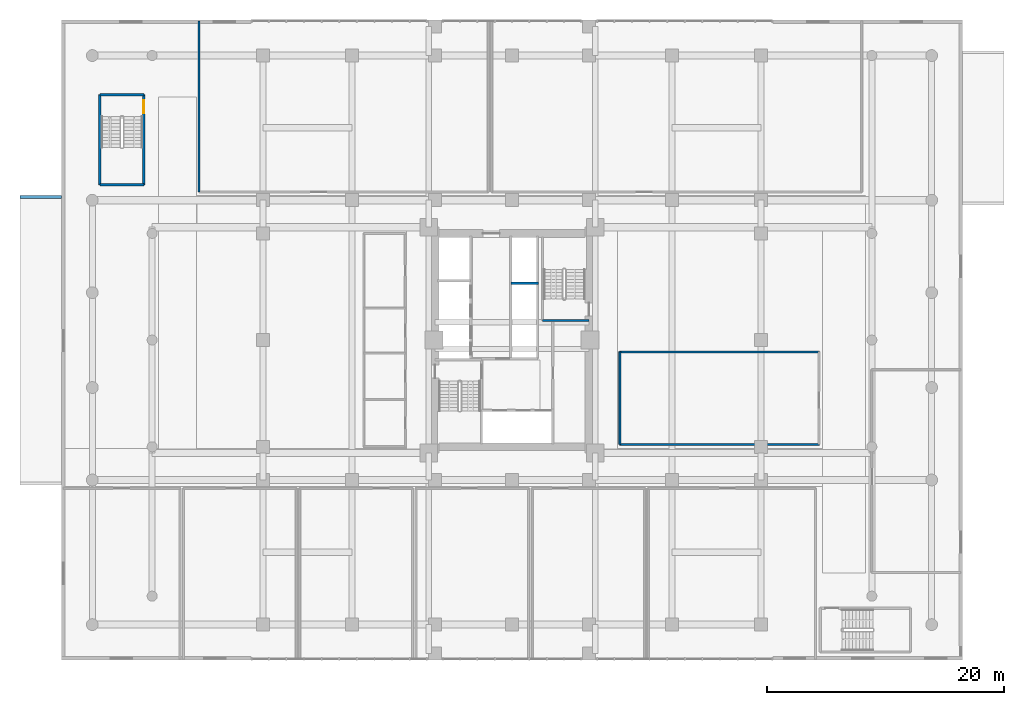
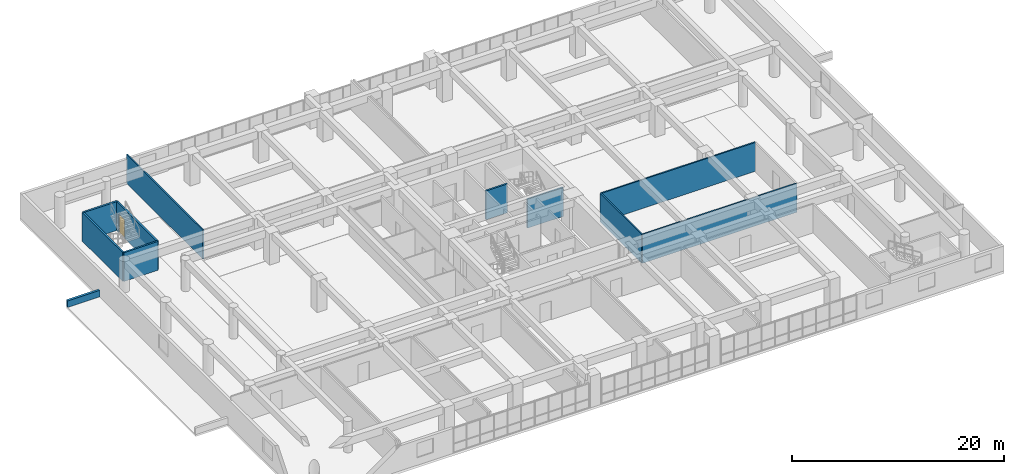
# One storey, part 16 of 27: 11 walls, 1 door, 1 opening.
"""IFC4 building model written with IfcOpenShell, lengths in metres."""

import ifcopenshell
import ifcopenshell.guid

model = None  # the IFC model being written
_history = None  # IfcOwnerHistory: only IFC2X3 demands one
_inside = {}  # id of a spatial element -> (the spatial element, [elements in it])
_under = {}  # id of a project, library or spatial element -> (it, [spatial elements below it])
_declared = {}  # id of a project -> (the project, [libraries it declares])
_typed = {}  # id of a type object -> (the type object, [elements of that type])
_made_of = {}  # id of a material, layer set ... -> (it, [elements and type objects made of it])


def new_model(schema):
    """Start an empty IFC model of exactly this schema.

    Asked for "IFC4X3", IfcOpenShell would pick the latest addendum, in which some entities
    have other attributes; the version numbers below select the first issue.
    IFC2X3 requires an IfcOwnerHistory on every rooted entity: one is made here for all.
    """
    global model, _history
    if schema == "IFC4X3":
        model = ifcopenshell.file(schema_version=(4, 3, 0, 0))
    else:
        model = ifcopenshell.file(schema=schema)
    _inside.clear()
    _under.clear()
    _declared.clear()
    _typed.clear()
    _made_of.clear()
    _history = None
    if model.schema == "IFC2X3":
        org = make("IfcOrganization", Name="unknown")
        user = make(
            "IfcPersonAndOrganization",
            ThePerson=make("IfcPerson", FamilyName="unknown"),
            TheOrganization=org,
        )
        app = make(
            "IfcApplication",
            ApplicationDeveloper=org,
            Version="unknown",
            ApplicationFullName="unknown",
            ApplicationIdentifier="unknown",
        )
        _history = make(
            "IfcOwnerHistory",
            OwningUser=user,
            OwningApplication=app,
            ChangeAction="ADDED",
            CreationDate=0,
        )
    return model


def make(cls, **values):
    """One entity of the class cls with the attributes given. An attribute that is None is left unset."""
    return model.create_entity(
        cls, **{name: value for name, value in values.items() if value is not None}
    )


def rooted(cls, **values):
    """An entity with a GlobalId (a new one), such as an element, a storey or a relation."""
    return make(cls, GlobalId=ifcopenshell.guid.new(), OwnerHistory=_history, **values)


def si_unit(unit_type, name, prefix=None):
    """IfcSIUnit, for example si_unit("LENGTHUNIT", "METRE", prefix="MILLI")."""
    return make("IfcSIUnit", UnitType=unit_type, Prefix=prefix, Name=name)


def assignment(units):
    """IfcUnitAssignment: the units of a project."""
    return None if units is None else make("IfcUnitAssignment", Units=units)


def point(xyz):
    """IfcCartesianPoint."""
    return None if xyz is None else make("IfcCartesianPoint", Coordinates=xyz)


def direction(xyz):
    """IfcDirection."""
    return None if xyz is None else make("IfcDirection", DirectionRatios=xyz)


def frame(location, z_axis=None, x_axis=None):
    """IfcAxis2Placement3D, a coordinate frame: its origin and axes. An axis left out is left unset."""
    return make(
        "IfcAxis2Placement3D",
        Location=point(location),
        Axis=direction(z_axis),
        RefDirection=direction(x_axis),
    )


def frame_2d(location, x_axis=None):
    """IfcAxis2Placement2D, a coordinate frame in the plane: its origin and x axis."""
    return make(
        "IfcAxis2Placement2D", Location=point(location), RefDirection=direction(x_axis)
    )


def origin():
    """The frame at (0, 0, 0) with its axes left unset."""
    return frame((0.0, 0.0, 0.0))


def place(relative_to, where):
    """IfcLocalPlacement: puts the frame where relative to a parent placement (None: the world)."""
    return make(
        "IfcLocalPlacement", PlacementRelTo=relative_to, RelativePlacement=where
    )


def context(
    kind, dimensions, precision=None, world=None, true_north=None, identifier=None
):
    """IfcGeometricRepresentationContext, for example the 3D "Model" context."""
    return make(
        "IfcGeometricRepresentationContext",
        ContextIdentifier=identifier,
        ContextType=kind,
        CoordinateSpaceDimension=dimensions,
        Precision=precision,
        WorldCoordinateSystem=world,
        TrueNorth=true_north,
    )


def subcontext(parent, identifier, kind, view, scale=None):
    """IfcGeometricRepresentationSubContext, for example "Body" below "Model"."""
    return make(
        "IfcGeometricRepresentationSubContext",
        ContextIdentifier=identifier,
        ContextType=kind,
        ParentContext=parent,
        TargetScale=scale,
        TargetView=view,
    )


def project(units=None, contexts=None):
    """IfcProject with its units and contexts."""
    return rooted(
        "IfcProject",
        Name="project",
        RepresentationContexts=contexts,
        UnitsInContext=assignment(units),
    )


def spatial(cls, under=None, at=None, **own):
    """A site, building, storey or space (cls), placed at a placement, below another one or the project."""
    s = rooted(cls, ObjectPlacement=at, **own)
    if under is not None:
        _under.setdefault(under.id(), (under, []))[1].append(s)
    return s


def profile(cls, at=None, kind="AREA", **sizes):
    """A parametric profile (cls). Its sizes go by their IFC names, for example OverallWidth=200.0."""
    return make(cls, ProfileType=kind, Position=at, **sizes)


def rectangle(**sizes):
    """IfcRectangleProfileDef."""
    return profile("IfcRectangleProfileDef", **sizes)


def extrude(swept, where, along, depth):
    """IfcExtrudedAreaSolid: the profile swept, set in the frame where, extruded along a direction by depth."""
    return make(
        "IfcExtrudedAreaSolid",
        SweptArea=swept,
        Position=where,
        ExtrudedDirection=direction(along),
        Depth=depth,
    )


def shape(context_of_items, identifier, shape_type, items):
    """IfcShapeRepresentation: the items that make up one representation, for example the "Body"."""
    return make(
        "IfcShapeRepresentation",
        ContextOfItems=context_of_items,
        RepresentationIdentifier=identifier,
        RepresentationType=shape_type,
        Items=items,
    )


def source(mapping_origin, context_of_items, identifier, shape_type, items):
    """IfcRepresentationMap: a shape defined once, which mapped items show again and again."""
    return make(
        "IfcRepresentationMap",
        MappingOrigin=mapping_origin,
        MappedRepresentation=shape(context_of_items, identifier, shape_type, items),
    )


def transform(
    local_origin,
    x_axis=None,
    y_axis=None,
    z_axis=None,
    scale=None,
    scale2=None,
    scale3=None,
    uniform=True,
):
    """IfcCartesianTransformationOperator3D, or its non-uniform kind. x_axis, y_axis, z_axis: its Axis1, 2, 3."""
    if uniform:
        return make(
            "IfcCartesianTransformationOperator3D",
            Axis1=direction(x_axis),
            Axis2=direction(y_axis),
            LocalOrigin=point(local_origin),
            Scale=scale,
            Axis3=direction(z_axis),
        )
    return make(
        "IfcCartesianTransformationOperator3DnonUniform",
        Axis1=direction(x_axis),
        Axis2=direction(y_axis),
        LocalOrigin=point(local_origin),
        Scale=scale,
        Axis3=direction(z_axis),
        Scale2=scale2,
        Scale3=scale3,
    )


def mapped(mapping_source, mapping_target):
    """IfcMappedItem: shows the shape of a source again, moved by a transform."""
    return make(
        "IfcMappedItem", MappingSource=mapping_source, MappingTarget=mapping_target
    )


def material(Name=None, Category=None):
    """IfcMaterial."""
    return make("IfcMaterial", Name=Name, Category=Category)


def layer(
    of_material, thickness, ventilated=None, Name=None, Category=None, Priority=None
):
    """IfcMaterialLayer: one layer of a wall or slab, of a material (None: an air gap)."""
    return make(
        "IfcMaterialLayer",
        Material=of_material,
        LayerThickness=thickness,
        IsVentilated=ventilated,
        Name=Name,
        Category=Category,
        Priority=Priority,
    )


def layer_set(layers, Name=None):
    """IfcMaterialLayerSet."""
    return make("IfcMaterialLayerSet", MaterialLayers=layers, LayerSetName=Name)


def made_of(thing, what):
    """Note that an element or type object is made of a material, layer set ...; save() writes the relation."""
    if what is not None:
        _made_of.setdefault(what.id(), (what, []))[1].append(thing)
    return thing


def type_object(cls, material=None, **own):
    """A type object (cls), such as IfcWallType, which elements share."""
    return made_of(rooted(cls, **own), material)


def element(
    cls,
    number,
    at=None,
    inside=None,
    cuts=None,
    type_object=None,
    material=None,
    context=None,
    identifier="Body",
    shape_type=None,
    held_by="IfcProductDefinitionShape",
    body=None,
    shapes=None,
    **own,
):
    """One element of the class cls, such as IfcWall. Its Tag is "e" and its number.

    at: its placement. inside: the storey or other place that contains it. cuts: it is an
    opening in that element (IfcRelVoidsElement). A single representation is given by context,
    identifier, shape_type and body (its items); several are given by shapes. held_by: the class
    of the entity that holds the representations. save() writes the other relations.
    """
    e = rooted(cls, Tag="e%d" % number, ObjectPlacement=at, **own)
    if body is not None:
        shapes = [shape(context, identifier, shape_type, body)]
    if shapes is not None:
        e.Representation = make(held_by, Representations=shapes)
    if inside is not None:
        _inside.setdefault(inside.id(), (inside, []))[1].append(e)
    if cuts is not None:
        rooted(
            "IfcRelVoidsElement", RelatingBuildingElement=cuts, RelatedOpeningElement=e
        )
    if type_object is not None:
        _typed.setdefault(type_object.id(), (type_object, []))[1].append(e)
    return made_of(e, material)


def fill(opening, filler):
    """IfcRelFillsElement: the door or window that sits in an opening."""
    return rooted(
        "IfcRelFillsElement",
        RelatingOpeningElement=opening,
        RelatedBuildingElement=filler,
    )


def aggregate(whole, parts):
    """IfcRelAggregates: a whole, such as a stair, and the parts it consists of."""
    return rooted("IfcRelAggregates", RelatingObject=whole, RelatedObjects=parts)


def save(model, path):
    """Write the relations noted so far, then the file.

    IfcRelAggregates (storeys below a building ...), IfcRelContainedInSpatialStructure (elements
    in a storey), IfcRelDefinesByType, IfcRelAssociatesMaterial and IfcRelDeclares: one each for
    every whole, place, type object, material and project.
    """
    for whole, parts in _under.values():
        aggregate(whole, parts)
    for where, things in _inside.values():
        rooted(
            "IfcRelContainedInSpatialStructure",
            RelatedElements=things,
            RelatingStructure=where,
        )
    for kind, things in _typed.values():
        rooted("IfcRelDefinesByType", RelatedObjects=things, RelatingType=kind)
    for what, things in _made_of.values():
        rooted("IfcRelAssociatesMaterial", RelatedObjects=things, RelatingMaterial=what)
    for by, libraries in _declared.values():
        rooted("IfcRelDeclares", RelatingContext=by, RelatedDefinitions=libraries)
    model.write(path)


model = new_model("IFC4")

# Units and contexts
model_context = context("Model", 3, precision=1e-05, world=origin(), true_north=direction((0.0, 1.0)))
body_context = subcontext(model_context, "Body", "Model", "MODEL_VIEW")
ifc_project = project(units=[si_unit("LENGTHUNIT", "METRE"), si_unit("AREAUNIT", "SQUARE_METRE"), si_unit("VOLUMEUNIT", "CUBIC_METRE"), si_unit("PLANEANGLEUNIT", "RADIAN"), si_unit("MASSUNIT", "GRAM", prefix="KILO")], contexts=[model_context])

# Site, building, storey
site_placement = place(None, origin())
site = spatial("IfcSite", under=ifc_project, at=site_placement, CompositionType="ELEMENT")
building_placement = place(site_placement, origin())
building = spatial("IfcBuilding", under=site, at=building_placement, Name="Saelheon Loggia Tower", CompositionType="ELEMENT")
storey_placement = place(building_placement, frame((0.0, 0.0, 4.199951171875)))
storey = spatial("IfcBuildingStorey", under=building, at=storey_placement, Name="L01", CompositionType="ELEMENT", Elevation=4.199951171875)

# Walls
ifc_material_1 = material(Name="Architectural Precast Concrete C40/50", Category="concrete")
ifc_layer_1 = layer(ifc_material_1, 0.25)
ifc_layer_set_1 = layer_set([ifc_layer_1], Name="Architectural Precast Concrete C40/50")
wall_type_1 = type_object("IfcWallType", Name="Wall_Parapet_250", PredefinedType="PARAPET", material=ifc_layer_set_1)
wall_1_placement = place(storey_placement, frame((-3.5, 39.080078125, 0.0), z_axis=(0.0, 0.0, 1.0), x_axis=(1.0, 0.0, 0.0)))
element("IfcWall", 1, at=wall_1_placement, inside=storey, type_object=wall_type_1, Name="W Entrance Canopy North Parapet", PredefinedType="PARAPET", context=body_context, shape_type="SweptSolid", body=[
    extrude(rectangle(XDim=3.52001953125, YDim=0.25, at=frame_2d((1.760009765625, 0.0))), origin(), (0.0, 0.0, 1.0), 0.75),
])
ifc_material_2 = material(Name="Lightweight Autoclaved Aerated Concrete Block and Acoustic Gypsum", Category="concrete")
ifc_layer_2 = layer(ifc_material_2, 0.14990234375)
ifc_layer_set_2 = layer_set([ifc_layer_2], Name="Lightweight Autoclaved Aerated Concrete Block and Acoustic Gypsum")
wall_type_2 = type_object("IfcWallType", Name="Wall_Part_150", PredefinedType="PARTITIONING", material=ifc_layer_set_2)
wall_2_placement = place(storey_placement, frame((11.60009765625, 39.5, 0.0), z_axis=(0.0, 0.0, 1.0), x_axis=(0.0, 1.0, 0.0)))
element("IfcWall", 2, at=wall_2_placement, inside=storey, type_object=wall_type_2, Name="PW-L01-WAIT1-W", PredefinedType="PARTITIONING", context=body_context, shape_type="SweptSolid", body=[
    extrude(rectangle(XDim=14.39990234375, YDim=0.14990234375, at=frame_2d((7.199951171875, 0.0))), origin(), (0.0, 0.0, 1.0), 3.320068359375),
])
for number, where, z_axis, x_axis, name in (
    (3, (47.10009765625, 18.199951171875, 0.0), (0.0, 0.0, 1.0), (1.0, 0.0, 0.0), "PW-L01-NURSE1-S"),
    (4, (47.10009765625, 26.0, 0.0), (0.0, 0.0, 1.0), (1.0, 0.0, 0.0), "PW-L01-NURSE1-N"),
):
    element("IfcWall", number, at=place(storey_placement, frame(where, z_axis=z_axis, x_axis=x_axis)), inside=storey, type_object=wall_type_2, Name=name, PredefinedType="PARTITIONING", context=body_context, shape_type="SweptSolid", body=[
        extrude(rectangle(XDim=16.7998046875, YDim=0.14990234375, at=frame_2d((8.39990234375, 0.0))), origin(), (0.0, 0.0, 1.0), 3.320068359375),
    ])
wall_3_placement = place(storey_placement, frame((47.10009765625, 18.199951171875, 0.0), z_axis=(0.0, 0.0, 1.0), x_axis=(0.0, 1.0, 0.0)))
element("IfcWall", 5, at=wall_3_placement, inside=storey, type_object=wall_type_2, Name="PW-L01-NURSE1-W", PredefinedType="PARTITIONING", context=body_context, shape_type="SweptSolid", body=[
    extrude(rectangle(XDim=7.800048828125, YDim=0.14990234375, at=frame_2d((3.89990234375, 0.0))), origin(), (0.0, 0.0, 1.0), 3.320068359375),
])
ifc_material_3 = material(Name="Concrete C40/50", Category="concrete")
ifc_layer_3 = layer(ifc_material_3, 0.199951171875)
ifc_layer_set_3 = layer_set([ifc_layer_3], Name="Concrete C40/50")
wall_type_3 = type_object("IfcWallType", Name="Wall_Shaft_200", PredefinedType="PARTITIONING", material=ifc_layer_set_3)
wall_4_placement = place(storey_placement, frame((37.89990234375, 31.800048828125, 0.0), z_axis=(0.0, 0.0, 1.0), x_axis=(1.0, 0.0, 0.0)))
element("IfcWall", 6, at=wall_4_placement, inside=storey, type_object=wall_type_3, Name="L01 East High-Rise Shaft Divider", PredefinedType="PARTITIONING", context=body_context, shape_type="SweptSolid", body=[
    extrude(rectangle(XDim=2.35009765625, YDim=0.199951171875, at=frame_2d((1.175048828125, 0.0))), origin(), (0.0, 0.0, 1.0), 3.320068359375),
])
ifc_material_4 = material(Name="Concrete C45/55", Category="concrete")
ifc_layer_4 = layer(ifc_material_4, 0.199951171875)
ifc_layer_set_4 = layer_set([ifc_layer_4], Name="Concrete C45/55")
wall_type_4 = type_object("IfcWallType", Name="Wall_StairShaft_RC200", PredefinedType="SOLIDWALL", material=ifc_layer_set_4)
wall_5_placement = place(storey_placement, frame((40.570068359375, 28.64990234375, 0.0), z_axis=(0.0, 0.0, 1.0), x_axis=(1.0, 0.0, 0.0)))
element("IfcWall", 7, at=wall_5_placement, inside=storey, type_object=wall_type_4, Name="L01 Stair ST2 South Wall", PredefinedType="SOLIDWALL", context=body_context, shape_type="SweptSolid", body=[
    extrude(rectangle(XDim=3.929931640625, YDim=0.199951171875, at=frame_2d((1.96484375, 0.0))), origin(), (0.0, 0.0, 1.0), 3.320068359375),
])
wall_6_placement = place(storey_placement, frame((3.239990234375, 40.090087890625, 0.0), z_axis=(0.0, 0.0, 1.0), x_axis=(0.0, 1.0, 0.0)))
element("IfcWall", 8, at=wall_6_placement, inside=storey, type_object=wall_type_4, Name="L01 ST3 Shaft West Wall", PredefinedType="SOLIDWALL", context=body_context, shape_type="SweptSolid", body=[
    extrude(rectangle(XDim=7.619873046875, YDim=0.199951171875, at=frame_2d((3.81005859375, 0.0))), origin(), (0.0, 0.0, 1.0), 3.320068359375),
])

# Wall, opening, door
wall_7_placement = place(storey_placement, frame((6.93994140625, 40.090087890625, 0.0), z_axis=(0.0, 0.0, 1.0), x_axis=(0.0, 1.0, 0.0)))
wall_7 = element("IfcWall", 9, at=wall_7_placement, inside=storey, type_object=wall_type_4, Name="L01 ST3 Shaft East Wall", PredefinedType="SOLIDWALL", context=body_context, shape_type="SweptSolid", body=[
    extrude(rectangle(XDim=7.619873046875, YDim=0.199951171875, at=frame_2d((3.81005859375, 0.0))), origin(), (0.0, 0.0, 1.0), 3.320068359375),
])
opening_placement = place(wall_7_placement, frame((7.150146484375, 0.0, 0.0), z_axis=(0.0, 0.0, 1.0), x_axis=(-1.0, 0.0, 0.0)))
opening = element("IfcOpeningElement", 10, at=opening_placement, cuts=wall_7, Name="Opening D-FD2", PredefinedType="OPENING", context=body_context, shape_type="SweptSolid", body=[
    extrude(rectangle(XDim=1.10009765625, YDim=2.14990234375, at=frame_2d((0.550048828125, 1.074951171875))), frame((0.0, 0.112060546875, 0.0), z_axis=(0.0, -1.0, 0.0), x_axis=(1.0, 0.0, 0.0)), (0.0, 0.0, 1.0), 0.223876953125),
])
ifc_material_5 = material(Name="Galvanised Steel Fire Door", Category="steel")
door_type = type_object("IfcDoorType", Name="Door_Fire_FD60_1100", OperationType="NOTDEFINED", PredefinedType="DOOR", material=ifc_material_5)
shared_shape = source(origin(), body_context, "Body", "SweptSolid", [
    extrude(rectangle(XDim=1.10009765625, YDim=2.14990234375, at=frame_2d((0.550048828125, 1.074951171875))), frame((0.0, 0.02490234375, 0.0), z_axis=(0.0, -1.0, 0.0), x_axis=(1.0, 0.0, 0.0)), (0.0, 0.0, 1.0), 0.050048828125),
])
door_placement = place(opening_placement, origin())
door = element("IfcDoor", 11, at=door_placement, inside=storey, type_object=door_type, Name="L01 Escape Stair ST3 Door", OperationType="SINGLE_SWING_RIGHT", OverallHeight=2.14990234375, OverallWidth=1.10009765625, PredefinedType="DOOR", context=body_context, shape_type="MappedRepresentation", body=[
    mapped(shared_shape, transform((0.0, 0.0, 0.0), scale=1.0)),
])
fill(opening, door)

# Walls
for number, where, z_axis, x_axis, name in (
    (12, (3.239990234375, 40.090087890625, 0.0), (0.0, 0.0, 1.0), (1.0, 0.0, 0.0), "L01 ST3 Shaft South Wall"),
    (13, (3.239990234375, 47.7099609375, 0.0), (0.0, 0.0, 1.0), (1.0, 0.0, 0.0), "L01 ST3 Shaft North Wall"),
):
    element("IfcWall", number, at=place(storey_placement, frame(where, z_axis=z_axis, x_axis=x_axis)), inside=storey, type_object=wall_type_4, Name=name, PredefinedType="SOLIDWALL", context=body_context, shape_type="SweptSolid", body=[
        extrude(rectangle(XDim=3.699951171875, YDim=0.199951171875, at=frame_2d((1.85009765625, 0.0))), origin(), (0.0, 0.0, 1.0), 3.320068359375),
    ])

save(model, "model.ifc")
